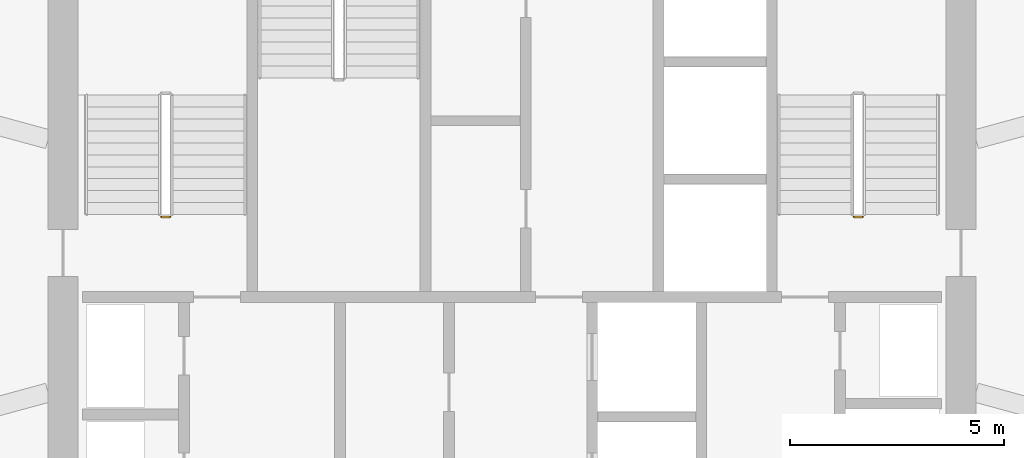
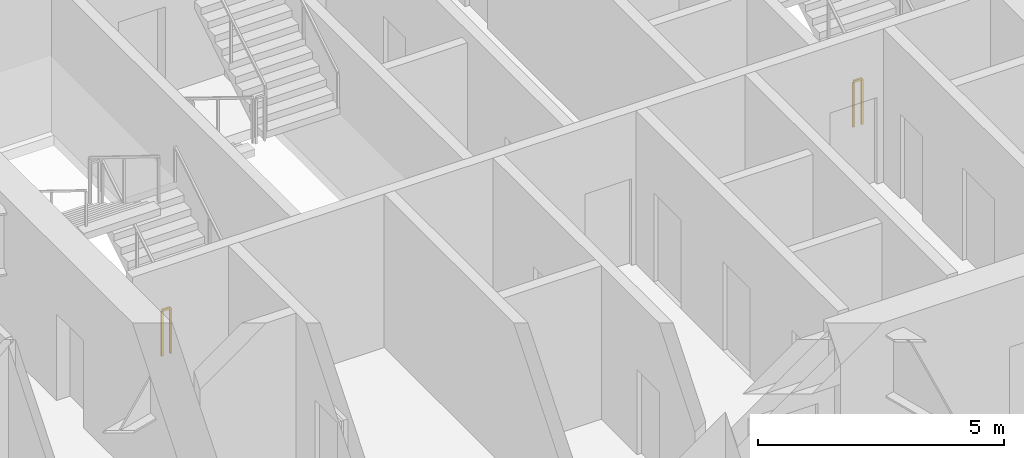
# One storey, part 26 of 28: 2 railings.
"""IFC4 building model written with IfcOpenShell, lengths in metres."""

from ifc_helpers import new_model, si_unit, direction, frame, origin, origin_2d, place, context, subcontext, project, spatial, rectangle, extrude, material, type_object, element, save


model = new_model("IFC4")

# Units and contexts
model_context = context("Model", 3, precision=1e-05, world=origin(), true_north=direction((0.0, 1.0)))
body_context = subcontext(model_context, "Body", "Model", "MODEL_VIEW")
ifc_project = project(units=[si_unit("LENGTHUNIT", "METRE"), si_unit("AREAUNIT", "SQUARE_METRE"), si_unit("VOLUMEUNIT", "CUBIC_METRE"), si_unit("PLANEANGLEUNIT", "RADIAN"), si_unit("MASSUNIT", "GRAM", prefix="KILO")], contexts=[model_context])

# Site, building, storey
site_placement = place(None, origin())
site = spatial("IfcSite", under=ifc_project, at=site_placement, CompositionType="ELEMENT")
building_placement = place(site_placement, origin())
building = spatial("IfcBuilding", under=site, at=building_placement, Name="Zuhravey Tower", CompositionType="ELEMENT")
storey_placement = place(building_placement, frame((0.0, 0.0, 222.60009765625)))
storey = spatial("IfcBuildingStorey", under=building, at=storey_placement, Name="L56", CompositionType="ELEMENT", Elevation=222.60009765625)

# Railings
ifc_material = material(Name="Painted tubular steel", Category="steel")
railing_type = type_object("IfcRailingType", Name="Stair Well Guardrail 1150", PredefinedType="GUARDRAIL", material=ifc_material)
for number, where, name in (
    (1, (28.0, 33.14990234375, 0.0), "L56 ST1 stair guard 4"),
    (2, (44.199951171875, 33.14990234375, 0.0), "L56 ST2 stair guard 4"),
):
    element("IfcRailing", number, at=place(storey_placement, frame(where)), inside=storey, type_object=railing_type, Name=name, PredefinedType="GUARDRAIL", context=body_context, shape_type="SweptSolid", body=[
        extrude(rectangle(XDim=0.048095703125, YDim=0.048095703125, at=origin_2d()), frame((-0.001953125, 0.0, 1.1259765625), z_axis=(-1.0, 0.0, 0.0), x_axis=(0.0, -1.0, 0.0)), (0.0, 0.0, 1.0), 0.196044921875),
        extrude(rectangle(XDim=0.0419921875, YDim=0.0419921875, at=origin_2d()), origin(), (0.0, 0.0, 1.0), 1.099853515625),
        extrude(rectangle(XDim=0.0419921875, YDim=0.0419921875, at=origin_2d()), frame((-0.199951171875, 0.0, 0.0)), (0.0, 0.0, 1.0), 1.099853515625),
    ])

save(model, "model.ifc")
